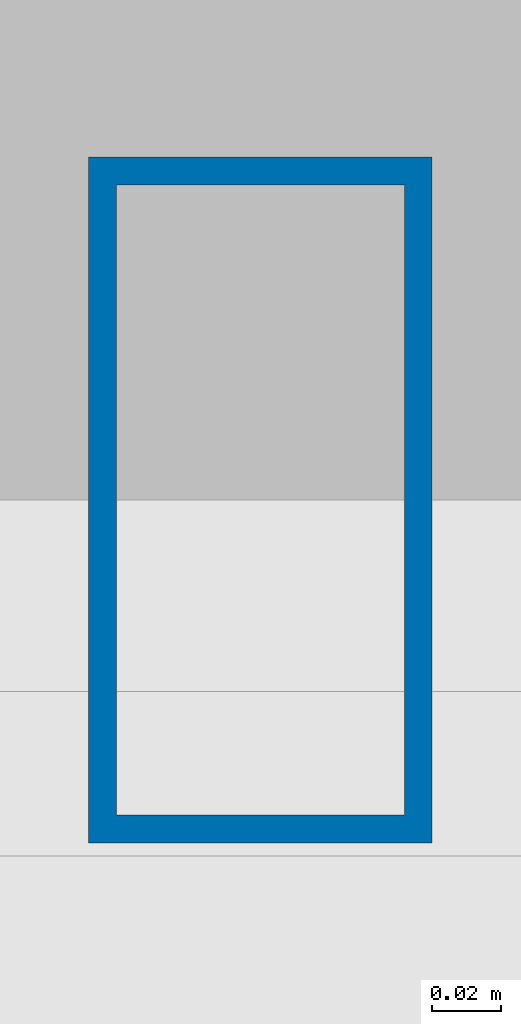
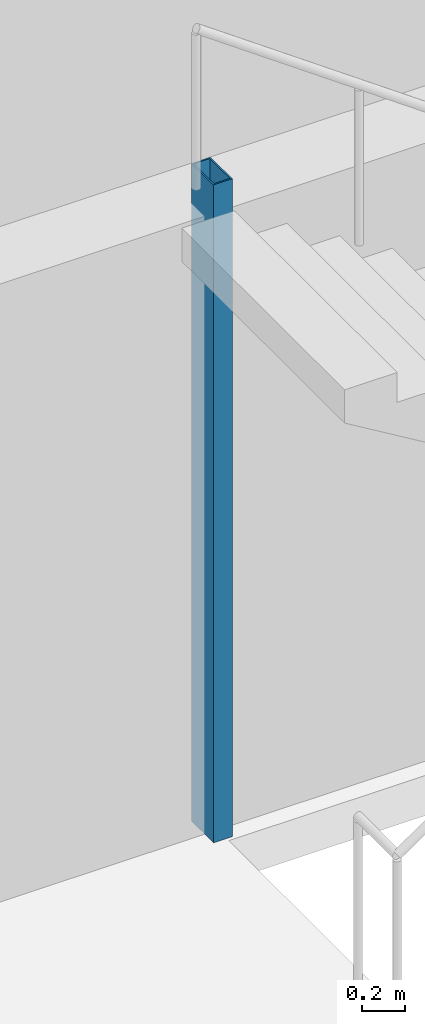
# One storey, part 2 of 18: 1 column.
"""IFC4 building model written with IfcOpenShell, lengths in metres."""

import ifcopenshell
import ifcopenshell.guid

model = None  # the IFC model being written
_history = None  # IfcOwnerHistory: only IFC2X3 demands one
_inside = {}  # id of a spatial element -> (the spatial element, [elements in it])
_under = {}  # id of a project, library or spatial element -> (it, [spatial elements below it])
_declared = {}  # id of a project -> (the project, [libraries it declares])
_typed = {}  # id of a type object -> (the type object, [elements of that type])
_made_of = {}  # id of a material, layer set ... -> (it, [elements and type objects made of it])


def new_model(schema):
    """Start an empty IFC model of exactly this schema.

    Asked for "IFC4X3", IfcOpenShell would pick the latest addendum, in which some entities
    have other attributes; the version numbers below select the first issue.
    IFC2X3 requires an IfcOwnerHistory on every rooted entity: one is made here for all.
    """
    global model, _history
    if schema == "IFC4X3":
        model = ifcopenshell.file(schema_version=(4, 3, 0, 0))
    else:
        model = ifcopenshell.file(schema=schema)
    _inside.clear()
    _under.clear()
    _declared.clear()
    _typed.clear()
    _made_of.clear()
    _history = None
    if model.schema == "IFC2X3":
        org = make("IfcOrganization", Name="unknown")
        user = make(
            "IfcPersonAndOrganization",
            ThePerson=make("IfcPerson", FamilyName="unknown"),
            TheOrganization=org,
        )
        app = make(
            "IfcApplication",
            ApplicationDeveloper=org,
            Version="unknown",
            ApplicationFullName="unknown",
            ApplicationIdentifier="unknown",
        )
        _history = make(
            "IfcOwnerHistory",
            OwningUser=user,
            OwningApplication=app,
            ChangeAction="ADDED",
            CreationDate=0,
        )
    return model


def make(cls, **values):
    """One entity of the class cls with the attributes given. An attribute that is None is left unset."""
    return model.create_entity(
        cls, **{name: value for name, value in values.items() if value is not None}
    )


def rooted(cls, **values):
    """An entity with a GlobalId (a new one), such as an element, a storey or a relation."""
    return make(cls, GlobalId=ifcopenshell.guid.new(), OwnerHistory=_history, **values)


def si_unit(unit_type, name, prefix=None):
    """IfcSIUnit, for example si_unit("LENGTHUNIT", "METRE", prefix="MILLI")."""
    return make("IfcSIUnit", UnitType=unit_type, Prefix=prefix, Name=name)


def assignment(units):
    """IfcUnitAssignment: the units of a project."""
    return None if units is None else make("IfcUnitAssignment", Units=units)


def point(xyz):
    """IfcCartesianPoint."""
    return None if xyz is None else make("IfcCartesianPoint", Coordinates=xyz)


def direction(xyz):
    """IfcDirection."""
    return None if xyz is None else make("IfcDirection", DirectionRatios=xyz)


def frame(location, z_axis=None, x_axis=None):
    """IfcAxis2Placement3D, a coordinate frame: its origin and axes. An axis left out is left unset."""
    return make(
        "IfcAxis2Placement3D",
        Location=point(location),
        Axis=direction(z_axis),
        RefDirection=direction(x_axis),
    )


def frame_2d(location, x_axis=None):
    """IfcAxis2Placement2D, a coordinate frame in the plane: its origin and x axis."""
    return make(
        "IfcAxis2Placement2D", Location=point(location), RefDirection=direction(x_axis)
    )


def origin():
    """The frame at (0, 0, 0) with its axes left unset."""
    return frame((0.0, 0.0, 0.0))


def origin_2d():
    """The frame at (0, 0) in the plane with its x axis left unset."""
    return frame_2d((0.0, 0.0))


def place(relative_to, where):
    """IfcLocalPlacement: puts the frame where relative to a parent placement (None: the world)."""
    return make(
        "IfcLocalPlacement", PlacementRelTo=relative_to, RelativePlacement=where
    )


def context(
    kind, dimensions, precision=None, world=None, true_north=None, identifier=None
):
    """IfcGeometricRepresentationContext, for example the 3D "Model" context."""
    return make(
        "IfcGeometricRepresentationContext",
        ContextIdentifier=identifier,
        ContextType=kind,
        CoordinateSpaceDimension=dimensions,
        Precision=precision,
        WorldCoordinateSystem=world,
        TrueNorth=true_north,
    )


def subcontext(parent, identifier, kind, view, scale=None):
    """IfcGeometricRepresentationSubContext, for example "Body" below "Model"."""
    return make(
        "IfcGeometricRepresentationSubContext",
        ContextIdentifier=identifier,
        ContextType=kind,
        ParentContext=parent,
        TargetScale=scale,
        TargetView=view,
    )


def project(units=None, contexts=None):
    """IfcProject with its units and contexts."""
    return rooted(
        "IfcProject",
        Name="project",
        RepresentationContexts=contexts,
        UnitsInContext=assignment(units),
    )


def spatial(cls, under=None, at=None, **own):
    """A site, building, storey or space (cls), placed at a placement, below another one or the project."""
    s = rooted(cls, ObjectPlacement=at, **own)
    if under is not None:
        _under.setdefault(under.id(), (under, []))[1].append(s)
    return s


def profile(cls, at=None, kind="AREA", **sizes):
    """A parametric profile (cls). Its sizes go by their IFC names, for example OverallWidth=200.0."""
    return make(cls, ProfileType=kind, Position=at, **sizes)


def hollow_rectangle(**sizes):
    """IfcRectangleHollowProfileDef."""
    return profile("IfcRectangleHollowProfileDef", **sizes)


def extrude(swept, where, along, depth):
    """IfcExtrudedAreaSolid: the profile swept, set in the frame where, extruded along a direction by depth."""
    return make(
        "IfcExtrudedAreaSolid",
        SweptArea=swept,
        Position=where,
        ExtrudedDirection=direction(along),
        Depth=depth,
    )


def shape(context_of_items, identifier, shape_type, items):
    """IfcShapeRepresentation: the items that make up one representation, for example the "Body"."""
    return make(
        "IfcShapeRepresentation",
        ContextOfItems=context_of_items,
        RepresentationIdentifier=identifier,
        RepresentationType=shape_type,
        Items=items,
    )


def material(Name=None, Category=None):
    """IfcMaterial."""
    return make("IfcMaterial", Name=Name, Category=Category)


def material_profile(
    of_material, cross_section, Name=None, Category=None, Priority=None
):
    """IfcMaterialProfile: a cross section and its material."""
    return make(
        "IfcMaterialProfile",
        Name=Name,
        Material=of_material,
        Profile=cross_section,
        Priority=Priority,
        Category=Category,
    )


def profile_set(profiles, Name=None, composite=None):
    """IfcMaterialProfileSet."""
    return make(
        "IfcMaterialProfileSet",
        Name=Name,
        MaterialProfiles=profiles,
        CompositeProfile=composite,
    )


def made_of(thing, what):
    """Note that an element or type object is made of a material, layer set ...; save() writes the relation."""
    if what is not None:
        _made_of.setdefault(what.id(), (what, []))[1].append(thing)
    return thing


def type_object(cls, material=None, **own):
    """A type object (cls), such as IfcWallType, which elements share."""
    return made_of(rooted(cls, **own), material)


def element(
    cls,
    number,
    at=None,
    inside=None,
    cuts=None,
    type_object=None,
    material=None,
    context=None,
    identifier="Body",
    shape_type=None,
    held_by="IfcProductDefinitionShape",
    body=None,
    shapes=None,
    **own,
):
    """One element of the class cls, such as IfcWall. Its Tag is "e" and its number.

    at: its placement. inside: the storey or other place that contains it. cuts: it is an
    opening in that element (IfcRelVoidsElement). A single representation is given by context,
    identifier, shape_type and body (its items); several are given by shapes. held_by: the class
    of the entity that holds the representations. save() writes the other relations.
    """
    e = rooted(cls, Tag="e%d" % number, ObjectPlacement=at, **own)
    if body is not None:
        shapes = [shape(context, identifier, shape_type, body)]
    if shapes is not None:
        e.Representation = make(held_by, Representations=shapes)
    if inside is not None:
        _inside.setdefault(inside.id(), (inside, []))[1].append(e)
    if cuts is not None:
        rooted(
            "IfcRelVoidsElement", RelatingBuildingElement=cuts, RelatedOpeningElement=e
        )
    if type_object is not None:
        _typed.setdefault(type_object.id(), (type_object, []))[1].append(e)
    return made_of(e, material)


def aggregate(whole, parts):
    """IfcRelAggregates: a whole, such as a stair, and the parts it consists of."""
    return rooted("IfcRelAggregates", RelatingObject=whole, RelatedObjects=parts)


def save(model, path):
    """Write the relations noted so far, then the file.

    IfcRelAggregates (storeys below a building ...), IfcRelContainedInSpatialStructure (elements
    in a storey), IfcRelDefinesByType, IfcRelAssociatesMaterial and IfcRelDeclares: one each for
    every whole, place, type object, material and project.
    """
    for whole, parts in _under.values():
        aggregate(whole, parts)
    for where, things in _inside.values():
        rooted(
            "IfcRelContainedInSpatialStructure",
            RelatedElements=things,
            RelatingStructure=where,
        )
    for kind, things in _typed.values():
        rooted("IfcRelDefinesByType", RelatedObjects=things, RelatingType=kind)
    for what, things in _made_of.values():
        rooted("IfcRelAssociatesMaterial", RelatedObjects=things, RelatingMaterial=what)
    for by, libraries in _declared.values():
        rooted("IfcRelDeclares", RelatingContext=by, RelatedDefinitions=libraries)
    model.write(path)


model = new_model("IFC4")

# Units and contexts
model_context = context("Model", 3, precision=1e-05, world=origin(), true_north=direction((0.0, 1.0)))
body_context = subcontext(model_context, "Body", "Model", "MODEL_VIEW")
ifc_project = project(units=[si_unit("LENGTHUNIT", "METRE"), si_unit("AREAUNIT", "SQUARE_METRE"), si_unit("VOLUMEUNIT", "CUBIC_METRE"), si_unit("PLANEANGLEUNIT", "RADIAN"), si_unit("MASSUNIT", "GRAM", prefix="KILO")], contexts=[model_context])

# Site, building, storey
site_placement = place(None, origin())
site = spatial("IfcSite", under=ifc_project, at=site_placement, CompositionType="ELEMENT")
building_placement = place(site_placement, origin())
building = spatial("IfcBuilding", under=site, at=building_placement, Name="Menara Jurai Vektor", CompositionType="ELEMENT")
storey_placement = place(building_placement, frame((0.0, 0.0, 117.0)))
storey = spatial("IfcBuildingStorey", under=building, at=storey_placement, Name="L29", CompositionType="ELEMENT", Elevation=117.0)

# Column
ifc_material = material(Name="Steel S355", Category="steel")
ifc_material_profile = material_profile(ifc_material, hollow_rectangle(XDim=0.10009765625, YDim=0.199951171875, WallThickness=0.008056640625, at=origin_2d()), Name="RHS 200x100x8")
ifc_profile_set = profile_set([ifc_material_profile], Name="Steel S355")
column_type = type_object("IfcColumnType", Name="STR-COL-STAIR", PredefinedType="COLUMN", material=ifc_profile_set)
column_placement = place(storey_placement, frame((-11.1201171875, 5.419921875, 0.0), z_axis=(0.0, 0.0, 1.0), x_axis=(1.0, 0.0, 0.0)))
element("IfcColumn", 1, at=column_placement, inside=storey, type_object=column_type, Name="Stair Well Header Column ST1-P2 L29", PredefinedType="COLUMN", context=body_context, shape_type="SweptSolid", body=[
    extrude(hollow_rectangle(XDim=0.10009765625, YDim=0.199951171875, WallThickness=0.008056640625, at=origin_2d()), origin(), (0.0, 0.0, 1.0), 3.699951171875),
])

save(model, "model.ifc")
